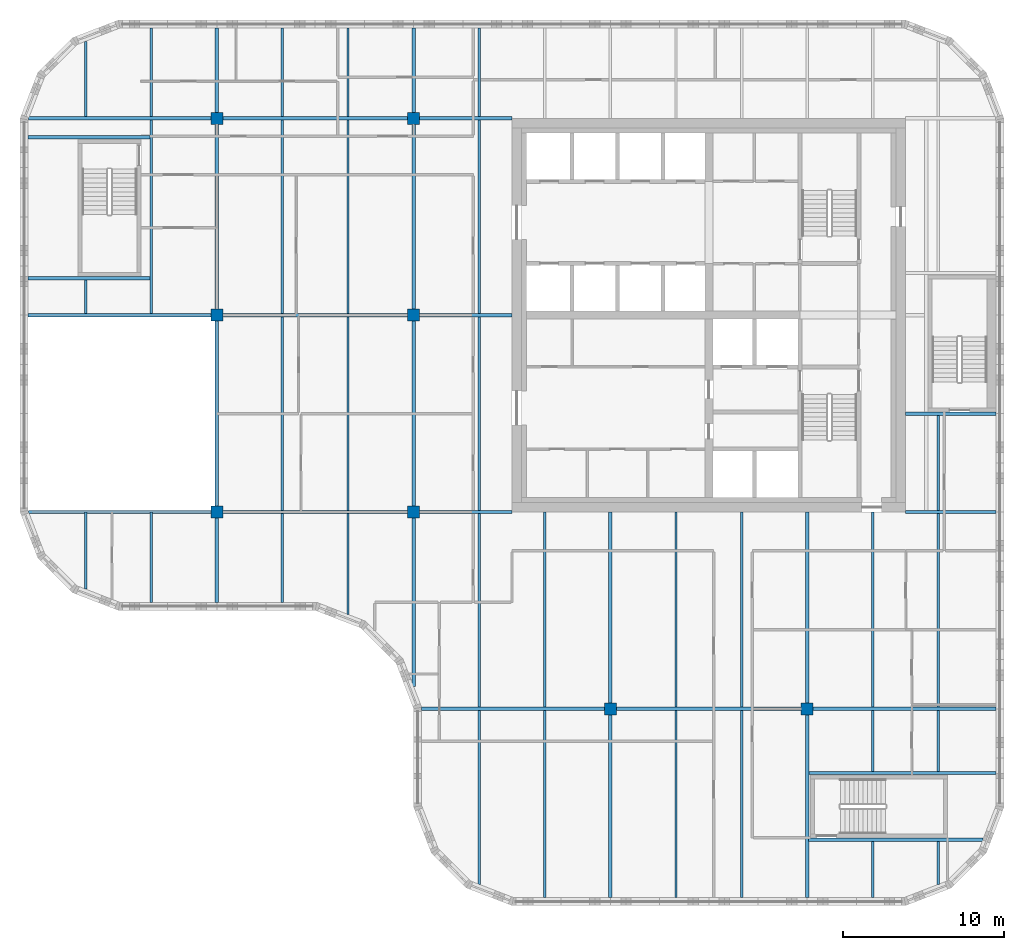
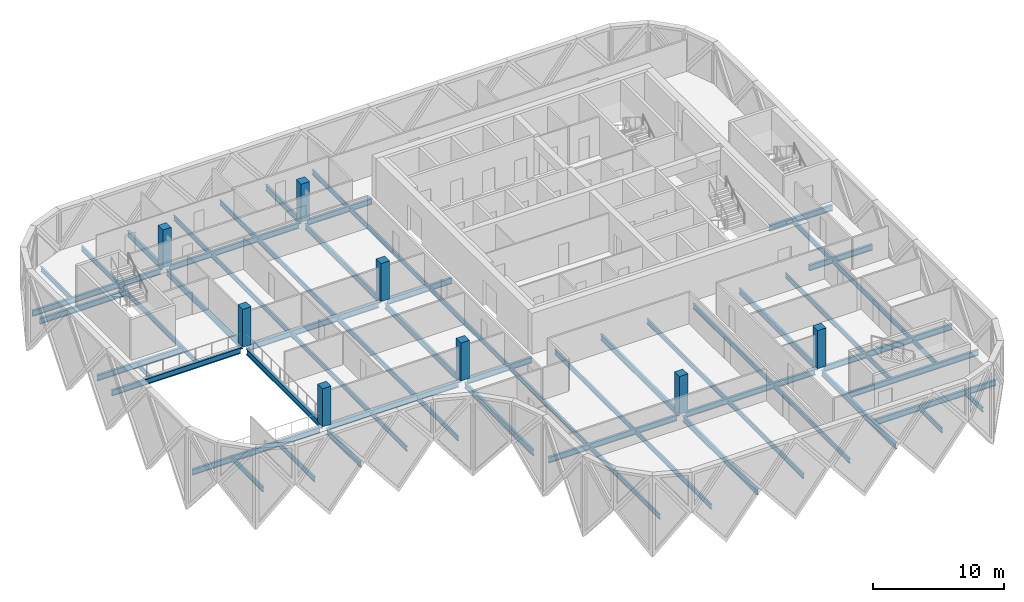
# One storey, part 1 of 15: 62 beams, 8 columns.
"""IFC4 building model written with IfcOpenShell, lengths in metres."""

from ifc_helpers import new_model, si_unit, direction, frame, origin, origin_2d, place, context, subcontext, project, spatial, rectangle, i_section, extrude, material, material_profile, profile_set, type_object, element, save


model = new_model("IFC4")

# Units and contexts
model_context = context("Model", 3, precision=1e-05, world=origin(), true_north=direction((0.0, 1.0)))
body_context = subcontext(model_context, "Body", "Model", "MODEL_VIEW")
ifc_project = project(units=[si_unit("LENGTHUNIT", "METRE"), si_unit("AREAUNIT", "SQUARE_METRE"), si_unit("VOLUMEUNIT", "CUBIC_METRE"), si_unit("PLANEANGLEUNIT", "RADIAN"), si_unit("MASSUNIT", "GRAM", prefix="KILO")], contexts=[model_context])

# Site, building, storey
site_placement = place(None, origin())
site = spatial("IfcSite", under=ifc_project, at=site_placement, CompositionType="ELEMENT")
building_placement = place(site_placement, origin())
building = spatial("IfcBuilding", under=site, at=building_placement, Name="Tessera Gate Towers", CompositionType="ELEMENT")
storey_placement = place(building_placement, frame((0.0, 0.0, 189.60009765625)))
storey = spatial("IfcBuildingStorey", under=building, at=storey_placement, Name="L47", CompositionType="ELEMENT", Elevation=189.60009765625)

# Columns
ifc_material_1 = material(Name="Concrete C70/85", Category="concrete")
ifc_material_profile_1 = material_profile(ifc_material_1, rectangle(XDim=0.75, YDim=0.75, at=origin_2d()), Name="RC 750x750")
ifc_profile_set_1 = profile_set([ifc_material_profile_1], Name="Concrete C70/85")
column_type = type_object("IfcColumnType", Name="COLUMN RC 750x750", PredefinedType="COLUMN", material=ifc_profile_set_1)
for number, where, z_axis, x_axis, name in (
    (1, (12.199951171875, 24.39990234375, 0.0), (0.0, 0.0, 1.0), (1.0, 0.0, 0.0), "T1-COL-2C-L47"),
    (2, (12.199951171875, 36.60009765625, 0.0), (0.0, 0.0, 1.0), (1.0, 0.0, 0.0), "T1-COL-2D-L47"),
    (3, (12.199951171875, 48.800048828125, 0.0), (0.0, 0.0, 1.0), (1.0, 0.0, 0.0), "T1-COL-2E-L47"),
    (4, (24.39990234375, 24.39990234375, 0.0), (0.0, 0.0, 1.0), (1.0, 0.0, 0.0), "T1-COL-3C-L47"),
    (5, (24.39990234375, 36.60009765625, 0.0), (0.0, 0.0, 1.0), (1.0, 0.0, 0.0), "T1-COL-3D-L47"),
    (6, (24.39990234375, 48.800048828125, 0.0), (0.0, 0.0, 1.0), (1.0, 0.0, 0.0), "T1-COL-3E-L47"),
    (7, (36.60009765625, 12.199951171875, 0.0), (0.0, 0.0, 1.0), (1.0, 0.0, 0.0), "T1-COL-4B-L47"),
    (8, (48.800048828125, 12.199951171875, 0.0), (0.0, 0.0, 1.0), (1.0, 0.0, 0.0), "T1-COL-5B-L47"),
):
    element("IfcColumn", number, at=place(storey_placement, frame(where, z_axis=z_axis, x_axis=x_axis)), inside=storey, type_object=column_type, Name=name, PredefinedType="COLUMN", context=body_context, shape_type="SweptSolid", body=[
        extrude(rectangle(XDim=0.75, YDim=0.75, at=origin_2d()), origin(), (0.0, 0.0, 1.0), 3.5498046875),
    ])

# Beams
ifc_material_2 = material(Name="Steel 350W", Category="steel")
ifc_material_profile_2 = material_profile(ifc_material_2, i_section(OverallWidth=0.208984375, OverallDepth=0.532958984375, WebThickness=0.01025390625, FlangeThickness=0.015625, at=origin_2d()), Name="W530x92")
ifc_profile_set_2 = profile_set([ifc_material_profile_2], Name="Steel 350W")
beam_type_1 = type_object("IfcBeamType", Name="FLOOR GIRDER W530x92", PredefinedType="BEAM", material=ifc_profile_set_2)
beam_1_placement = place(storey_placement, frame((24.89892578125, 12.199951171875, -0.466552734375), z_axis=(1.0, 0.0, 0.0), x_axis=(0.0, 1.0, 0.0)))
element("IfcBeam", 9, at=beam_1_placement, inside=storey, type_object=beam_type_1, Name="T1-GD-L47-5034", PredefinedType="BEAM", context=body_context, shape_type="SweptSolid", body=[
    extrude(i_section(OverallWidth=0.208984375, OverallDepth=0.532958984375, WebThickness=0.01025390625, FlangeThickness=0.015625, at=origin_2d()), origin(), (0.0, 0.0, 1.0), 11.326171875),
])
beam_2_placement = place(storey_placement, frame((36.97509765625, 12.199951171875, -0.466552734375), z_axis=(1.0, 0.0, 0.0), x_axis=(0.0, 1.0, 0.0)))
element("IfcBeam", 10, at=beam_2_placement, inside=storey, type_object=beam_type_1, Name="T1-GD-L47-5035", PredefinedType="BEAM", context=body_context, shape_type="SweptSolid", body=[
    extrude(i_section(OverallWidth=0.208984375, OverallDepth=0.532958984375, WebThickness=0.01025390625, FlangeThickness=0.015625, at=origin_2d()), origin(), (0.0, 0.0, 1.0), 11.449951171875),
])
beam_3_placement = place(storey_placement, frame((49.175048828125, 12.199951171875, -0.466552734375), z_axis=(1.0, 0.0, 0.0), x_axis=(0.0, 1.0, 0.0)))
element("IfcBeam", 11, at=beam_3_placement, inside=storey, type_object=beam_type_1, Name="T1-GD-L47-5036", PredefinedType="BEAM", context=body_context, shape_type="SweptSolid", body=[
    extrude(i_section(OverallWidth=0.208984375, OverallDepth=0.532958984375, WebThickness=0.01025390625, FlangeThickness=0.015625, at=origin_2d()), origin(), (0.0, 0.0, 1.0), 11.325927734375),
])
beam_4_placement = place(storey_placement, frame((0.534912109375, 24.39990234375, -0.466552734375), z_axis=(1.0, 0.0, 0.0), x_axis=(0.0, 1.0, 0.0)))
element("IfcBeam", 12, at=beam_4_placement, inside=storey, type_object=beam_type_1, Name="T1-GD-L47-5037", PredefinedType="BEAM", context=body_context, shape_type="SweptSolid", body=[
    extrude(i_section(OverallWidth=0.208984375, OverallDepth=0.532958984375, WebThickness=0.01025390625, FlangeThickness=0.015625, at=origin_2d()), origin(), (0.0, 0.0, 1.0), 11.2900390625),
])
beam_5_placement = place(storey_placement, frame((12.574951171875, 24.39990234375, -0.466552734375), z_axis=(1.0, 0.0, 0.0), x_axis=(0.0, 1.0, 0.0)))
element("IfcBeam", 13, at=beam_5_placement, inside=storey, type_object=beam_type_1, Name="T1-GD-L47-5038", PredefinedType="BEAM", context=body_context, shape_type="SweptSolid", body=[
    extrude(i_section(OverallWidth=0.208984375, OverallDepth=0.532958984375, WebThickness=0.01025390625, FlangeThickness=0.015625, at=origin_2d()), origin(), (0.0, 0.0, 1.0), 11.449951171875),
])
beam_6_placement = place(storey_placement, frame((24.77490234375, 24.39990234375, -0.466552734375), z_axis=(1.0, 0.0, 0.0), x_axis=(0.0, 1.0, 0.0)))
element("IfcBeam", 14, at=beam_6_placement, inside=storey, type_object=beam_type_1, Name="T1-GD-L47-5039", PredefinedType="BEAM", context=body_context, shape_type="SweptSolid", body=[
    extrude(i_section(OverallWidth=0.208984375, OverallDepth=0.532958984375, WebThickness=0.01025390625, FlangeThickness=0.015625, at=origin_2d()), origin(), (0.0, 0.0, 1.0), 5.72412109375),
])
beam_7_placement = place(storey_placement, frame((54.90087890625, 24.39990234375, -0.466552734375), z_axis=(1.0, 0.0, 0.0), x_axis=(0.0, 1.0, 0.0)))
element("IfcBeam", 15, at=beam_7_placement, inside=storey, type_object=beam_type_1, Name="T1-GD-L47-5040", PredefinedType="BEAM", context=body_context, shape_type="SweptSolid", body=[
    extrude(i_section(OverallWidth=0.208984375, OverallDepth=0.532958984375, WebThickness=0.01025390625, FlangeThickness=0.015625, at=origin_2d()), origin(), (0.0, 0.0, 1.0), 5.60009765625),
])
beam_8_placement = place(storey_placement, frame((0.4990234375, 36.60009765625, -0.466552734375), z_axis=(1.0, 0.0, 0.0), x_axis=(0.0, 1.0, 0.0)))
element("IfcBeam", 16, at=beam_8_placement, inside=storey, type_object=beam_type_1, Name="T1-GD-L47-5041", PredefinedType="BEAM", context=body_context, shape_type="SweptSolid", body=[
    extrude(i_section(OverallWidth=0.208984375, OverallDepth=0.532958984375, WebThickness=0.01025390625, FlangeThickness=0.015625, at=origin_2d()), origin(), (0.0, 0.0, 1.0), 11.325927734375),
])
beam_9_placement = place(storey_placement, frame((12.574951171875, 36.60009765625, -0.466552734375), z_axis=(1.0, 0.0, 0.0), x_axis=(0.0, 1.0, 0.0)))
element("IfcBeam", 17, at=beam_9_placement, inside=storey, type_object=beam_type_1, Name="T1-GD-L47-5042", PredefinedType="BEAM", context=body_context, shape_type="SweptSolid", body=[
    extrude(i_section(OverallWidth=0.208984375, OverallDepth=0.532958984375, WebThickness=0.01025390625, FlangeThickness=0.015625, at=origin_2d()), origin(), (0.0, 0.0, 1.0), 11.449951171875),
])
beam_10_placement = place(storey_placement, frame((24.77490234375, 36.60009765625, -0.466552734375), z_axis=(1.0, 0.0, 0.0), x_axis=(0.0, 1.0, 0.0)))
element("IfcBeam", 18, at=beam_10_placement, inside=storey, type_object=beam_type_1, Name="T1-GD-L47-5043", PredefinedType="BEAM", context=body_context, shape_type="SweptSolid", body=[
    extrude(i_section(OverallWidth=0.208984375, OverallDepth=0.532958984375, WebThickness=0.01025390625, FlangeThickness=0.015625, at=origin_2d()), origin(), (0.0, 0.0, 1.0), 5.72607421875),
])
beam_11_placement = place(storey_placement, frame((0.534912109375, 48.800048828125, -0.466552734375), z_axis=(1.0, 0.0, 0.0), x_axis=(0.0, 1.0, 0.0)))
element("IfcBeam", 19, at=beam_11_placement, inside=storey, type_object=beam_type_1, Name="T1-GD-L47-5045", PredefinedType="BEAM", context=body_context, shape_type="SweptSolid", body=[
    extrude(i_section(OverallWidth=0.208984375, OverallDepth=0.532958984375, WebThickness=0.01025390625, FlangeThickness=0.015625, at=origin_2d()), origin(), (0.0, 0.0, 1.0), 11.2900390625),
])
beam_12_placement = place(storey_placement, frame((12.574951171875, 48.800048828125, -0.466552734375), z_axis=(1.0, 0.0, 0.0), x_axis=(0.0, 1.0, 0.0)))
element("IfcBeam", 20, at=beam_12_placement, inside=storey, type_object=beam_type_1, Name="T1-GD-L47-5046", PredefinedType="BEAM", context=body_context, shape_type="SweptSolid", body=[
    extrude(i_section(OverallWidth=0.208984375, OverallDepth=0.532958984375, WebThickness=0.01025390625, FlangeThickness=0.015625, at=origin_2d()), origin(), (0.0, 0.0, 1.0), 11.449951171875),
])
beam_13_placement = place(storey_placement, frame((24.77490234375, 48.800048828125, -0.466552734375), z_axis=(1.0, 0.0, 0.0), x_axis=(0.0, 1.0, 0.0)))
element("IfcBeam", 21, at=beam_13_placement, inside=storey, type_object=beam_type_1, Name="T1-GD-L47-5047", PredefinedType="BEAM", context=body_context, shape_type="SweptSolid", body=[
    extrude(i_section(OverallWidth=0.208984375, OverallDepth=0.532958984375, WebThickness=0.01025390625, FlangeThickness=0.015625, at=origin_2d()), origin(), (0.0, 0.0, 1.0), 5.72412109375),
])
beam_14_placement = place(storey_placement, frame((12.199951171875, 18.799072265625, -0.466552734375), z_axis=(0.0, 1.0, 0.0), x_axis=(-1.0, 0.0, 0.0)))
element("IfcBeam", 22, at=beam_14_placement, inside=storey, type_object=beam_type_1, Name="T1-GD-L47-5049", PredefinedType="BEAM", context=body_context, shape_type="SweptSolid", body=[
    extrude(i_section(OverallWidth=0.208984375, OverallDepth=0.532958984375, WebThickness=0.01025390625, FlangeThickness=0.015625, at=origin_2d()), origin(), (0.0, 0.0, 1.0), 5.225830078125),
])
beam_15_placement = place(storey_placement, frame((12.199951171875, 24.77490234375, -0.466552734375), z_axis=(0.0, 1.0, 0.0), x_axis=(-1.0, 0.0, 0.0)))
element("IfcBeam", 23, at=beam_15_placement, inside=storey, type_object=beam_type_1, Name="T1-GD-L47-5050", PredefinedType="BEAM", context=body_context, shape_type="SweptSolid", body=[
    extrude(i_section(OverallWidth=0.208984375, OverallDepth=0.532958984375, WebThickness=0.01025390625, FlangeThickness=0.015625, at=origin_2d()), origin(), (0.0, 0.0, 1.0), 11.4501953125),
])
beam_16_placement = place(storey_placement, frame((12.199951171875, 36.97509765625, -0.466552734375), z_axis=(0.0, 1.0, 0.0), x_axis=(-1.0, 0.0, 0.0)))
element("IfcBeam", 24, at=beam_16_placement, inside=storey, type_object=beam_type_1, Name="T1-GD-L47-5051", PredefinedType="BEAM", context=body_context, shape_type="SweptSolid", body=[
    extrude(i_section(OverallWidth=0.208984375, OverallDepth=0.532958984375, WebThickness=0.01025390625, FlangeThickness=0.015625, at=origin_2d()), origin(), (0.0, 0.0, 1.0), 11.449951171875),
])
beam_17_placement = place(storey_placement, frame((12.199951171875, 49.175048828125, -0.466552734375), z_axis=(0.0, 1.0, 0.0), x_axis=(-1.0, 0.0, 0.0)))
element("IfcBeam", 25, at=beam_17_placement, inside=storey, type_object=beam_type_1, Name="T1-GD-L47-5052", PredefinedType="BEAM", context=body_context, shape_type="SweptSolid", body=[
    extrude(i_section(OverallWidth=0.208984375, OverallDepth=0.532958984375, WebThickness=0.01025390625, FlangeThickness=0.015625, at=origin_2d()), origin(), (0.0, 0.0, 1.0), 5.225830078125),
])
beam_18_placement = place(storey_placement, frame((24.39990234375, 13.58642578125, -0.466552734375), z_axis=(0.0, 1.0, 0.0), x_axis=(-1.0, 0.0, 0.0)))
element("IfcBeam", 26, at=beam_18_placement, inside=storey, type_object=beam_type_1, Name="T1-GD-L47-5053", PredefinedType="BEAM", context=body_context, shape_type="SweptSolid", body=[
    extrude(i_section(OverallWidth=0.208984375, OverallDepth=0.532958984375, WebThickness=0.01025390625, FlangeThickness=0.015625, at=origin_2d()), origin(), (0.0, 0.0, 1.0), 10.4384765625),
])
beam_19_placement = place(storey_placement, frame((24.39990234375, 24.77490234375, -0.466552734375), z_axis=(0.0, 1.0, 0.0), x_axis=(-1.0, 0.0, 0.0)))
element("IfcBeam", 27, at=beam_19_placement, inside=storey, type_object=beam_type_1, Name="T1-GD-L47-5054", PredefinedType="BEAM", context=body_context, shape_type="SweptSolid", body=[
    extrude(i_section(OverallWidth=0.208984375, OverallDepth=0.532958984375, WebThickness=0.01025390625, FlangeThickness=0.015625, at=origin_2d()), origin(), (0.0, 0.0, 1.0), 11.4501953125),
])
beam_20_placement = place(storey_placement, frame((24.39990234375, 36.97509765625, -0.466552734375), z_axis=(0.0, 1.0, 0.0), x_axis=(-1.0, 0.0, 0.0)))
element("IfcBeam", 28, at=beam_20_placement, inside=storey, type_object=beam_type_1, Name="T1-GD-L47-5055", PredefinedType="BEAM", context=body_context, shape_type="SweptSolid", body=[
    extrude(i_section(OverallWidth=0.208984375, OverallDepth=0.532958984375, WebThickness=0.01025390625, FlangeThickness=0.015625, at=origin_2d()), origin(), (0.0, 0.0, 1.0), 11.449951171875),
])
beam_21_placement = place(storey_placement, frame((24.39990234375, 49.175048828125, -0.466552734375), z_axis=(0.0, 1.0, 0.0), x_axis=(-1.0, 0.0, 0.0)))
element("IfcBeam", 29, at=beam_21_placement, inside=storey, type_object=beam_type_1, Name="T1-GD-L47-5056", PredefinedType="BEAM", context=body_context, shape_type="SweptSolid", body=[
    extrude(i_section(OverallWidth=0.208984375, OverallDepth=0.532958984375, WebThickness=0.01025390625, FlangeThickness=0.015625, at=origin_2d()), origin(), (0.0, 0.0, 1.0), 5.225830078125),
])
beam_22_placement = place(storey_placement, frame((36.60009765625, 0.4990234375, -0.466552734375), z_axis=(0.0, 1.0, 0.0), x_axis=(-1.0, 0.0, 0.0)))
element("IfcBeam", 30, at=beam_22_placement, inside=storey, type_object=beam_type_1, Name="T1-GD-L47-5057", PredefinedType="BEAM", context=body_context, shape_type="SweptSolid", body=[
    extrude(i_section(OverallWidth=0.208984375, OverallDepth=0.532958984375, WebThickness=0.01025390625, FlangeThickness=0.015625, at=origin_2d()), origin(), (0.0, 0.0, 1.0), 11.325927734375),
])
beam_23_placement = place(storey_placement, frame((36.60009765625, 12.574951171875, -0.466552734375), z_axis=(0.0, 1.0, 0.0), x_axis=(-1.0, 0.0, 0.0)))
element("IfcBeam", 31, at=beam_23_placement, inside=storey, type_object=beam_type_1, Name="T1-GD-L47-5058", PredefinedType="BEAM", context=body_context, shape_type="SweptSolid", body=[
    extrude(i_section(OverallWidth=0.208984375, OverallDepth=0.532958984375, WebThickness=0.01025390625, FlangeThickness=0.015625, at=origin_2d()), origin(), (0.0, 0.0, 1.0), 11.824951171875),
])
beam_24_placement = place(storey_placement, frame((48.800048828125, 0.4990234375, -0.466552734375), z_axis=(0.0, 1.0, 0.0), x_axis=(-1.0, 0.0, 0.0)))
element("IfcBeam", 32, at=beam_24_placement, inside=storey, type_object=beam_type_1, Name="T1-GD-L47-5059", PredefinedType="BEAM", context=body_context, shape_type="SweptSolid", body=[
    extrude(i_section(OverallWidth=0.208984375, OverallDepth=0.532958984375, WebThickness=0.01025390625, FlangeThickness=0.015625, at=origin_2d()), origin(), (0.0, 0.0, 1.0), 11.325927734375),
])
beam_25_placement = place(storey_placement, frame((48.800048828125, 12.574951171875, -0.466552734375), z_axis=(0.0, 1.0, 0.0), x_axis=(-1.0, 0.0, 0.0)))
element("IfcBeam", 33, at=beam_25_placement, inside=storey, type_object=beam_type_1, Name="T1-GD-L47-5060", PredefinedType="BEAM", context=body_context, shape_type="SweptSolid", body=[
    extrude(i_section(OverallWidth=0.208984375, OverallDepth=0.532958984375, WebThickness=0.01025390625, FlangeThickness=0.015625, at=origin_2d()), origin(), (0.0, 0.0, 1.0), 11.824951171875),
])
for number, where, z_axis, x_axis, name in (
    (34, (0.4990234375, 38.8798828125, -0.466552734375), (1.0, 0.0, 0.0), (0.0, 1.0, 0.0), "T1-GD-L47-5061"),
    (35, (0.4990234375, 47.6201171875, -0.466552734375), (1.0, 0.0, 0.0), (0.0, 1.0, 0.0), "T1-GD-L47-5062"),
):
    element("IfcBeam", number, at=place(storey_placement, frame(where, z_axis=z_axis, x_axis=x_axis)), inside=storey, type_object=beam_type_1, Name=name, PredefinedType="BEAM", context=body_context, shape_type="SweptSolid", body=[
        extrude(i_section(OverallWidth=0.208984375, OverallDepth=0.532958984375, WebThickness=0.01025390625, FlangeThickness=0.015625, at=origin_2d()), origin(), (0.0, 0.0, 1.0), 7.557861328125),
    ])
beam_26_placement = place(storey_placement, frame((48.87646484375, 4.080078125, -0.466552734375), z_axis=(1.0, 0.0, 0.0), x_axis=(0.0, 1.0, 0.0)))
element("IfcBeam", 36, at=beam_26_placement, inside=storey, type_object=beam_type_1, Name="T1-GD-L47-5063", PredefinedType="BEAM", context=body_context, shape_type="SweptSolid", body=[
    extrude(i_section(OverallWidth=0.208984375, OverallDepth=0.532958984375, WebThickness=0.01025390625, FlangeThickness=0.015625, at=origin_2d()), origin(), (0.0, 0.0, 1.0), 10.809326171875),
])
beam_27_placement = place(storey_placement, frame((48.87646484375, 8.219970703125, -0.466552734375), z_axis=(1.0, 0.0, 0.0), x_axis=(0.0, 1.0, 0.0)))
element("IfcBeam", 37, at=beam_27_placement, inside=storey, type_object=beam_type_1, Name="T1-GD-L47-5064", PredefinedType="BEAM", context=body_context, shape_type="SweptSolid", body=[
    extrude(i_section(OverallWidth=0.208984375, OverallDepth=0.532958984375, WebThickness=0.01025390625, FlangeThickness=0.015625, at=origin_2d()), origin(), (0.0, 0.0, 1.0), 11.62451171875),
])
beam_28_placement = place(storey_placement, frame((54.89892578125, 30.47998046875, -0.466552734375), z_axis=(1.0, 0.0, 0.0), x_axis=(0.0, 1.0, 0.0)))
element("IfcBeam", 38, at=beam_28_placement, inside=storey, type_object=beam_type_1, Name="T1-GD-L47-5065", PredefinedType="BEAM", context=body_context, shape_type="SweptSolid", body=[
    extrude(i_section(OverallWidth=0.208984375, OverallDepth=0.532958984375, WebThickness=0.01025390625, FlangeThickness=0.015625, at=origin_2d()), origin(), (0.0, 0.0, 1.0), 5.60205078125),
])
ifc_material_3 = material(Name="Steel 350W", Category="steel")
ifc_material_profile_3 = material_profile(ifc_material_3, i_section(OverallWidth=0.153076171875, OverallDepth=0.455078125, WebThickness=0.008056640625, FlangeThickness=0.01318359375, at=origin_2d()), Name="W460x60")
ifc_profile_set_3 = profile_set([ifc_material_profile_3], Name="Steel 350W")
beam_type_2 = type_object("IfcBeamType", Name="FLOOR SECONDARY W460x60", PredefinedType="BEAM", material=ifc_profile_set_3)
beam_29_placement = place(storey_placement, frame((4.066650390625, 19.620361328125, -0.427490234375), z_axis=(0.0, 1.0, 0.0), x_axis=(-1.0, 0.0, 0.0)))
element("IfcBeam", 39, at=beam_29_placement, inside=storey, type_object=beam_type_2, Name="T1-BM-L47-5068", PredefinedType="BEAM", context=body_context, shape_type="SweptSolid", body=[
    extrude(i_section(OverallWidth=0.153076171875, OverallDepth=0.455078125, WebThickness=0.008056640625, FlangeThickness=0.01318359375, at=origin_2d()), origin(), (0.0, 0.0, 1.0), 4.779541015625),
])
beam_30_placement = place(storey_placement, frame((4.066650390625, 36.70458984375, -0.427490234375), z_axis=(0.0, 1.0, 0.0), x_axis=(-1.0, 0.0, 0.0)))
element("IfcBeam", 40, at=beam_30_placement, inside=storey, type_object=beam_type_2, Name="T1-BM-L47-5069", PredefinedType="BEAM", context=body_context, shape_type="SweptSolid", body=[
    extrude(i_section(OverallWidth=0.153076171875, OverallDepth=0.455078125, WebThickness=0.008056640625, FlangeThickness=0.01318359375, at=origin_2d()), origin(), (0.0, 0.0, 1.0), 2.07080078125),
])
beam_31_placement = place(storey_placement, frame((4.066650390625, 48.904541015625, -0.427490234375), z_axis=(0.0, 1.0, 0.0), x_axis=(-1.0, 0.0, 0.0)))
element("IfcBeam", 41, at=beam_31_placement, inside=storey, type_object=beam_type_2, Name="T1-BM-L47-5070", PredefinedType="BEAM", context=body_context, shape_type="SweptSolid", body=[
    extrude(i_section(OverallWidth=0.153076171875, OverallDepth=0.455078125, WebThickness=0.008056640625, FlangeThickness=0.01318359375, at=origin_2d()), origin(), (0.0, 0.0, 1.0), 4.675048828125),
])
beam_32_placement = place(storey_placement, frame((8.13330078125, 18.800048828125, -0.427490234375), z_axis=(0.0, 1.0, 0.0), x_axis=(-1.0, 0.0, 0.0)))
element("IfcBeam", 42, at=beam_32_placement, inside=storey, type_object=beam_type_2, Name="T1-BM-L47-5071", PredefinedType="BEAM", context=body_context, shape_type="SweptSolid", body=[
    extrude(i_section(OverallWidth=0.153076171875, OverallDepth=0.455078125, WebThickness=0.008056640625, FlangeThickness=0.01318359375, at=origin_2d()), origin(), (0.0, 0.0, 1.0), 5.599853515625),
])
beam_33_placement = place(storey_placement, frame((8.13330078125, 36.70458984375, -0.427490234375), z_axis=(0.0, 1.0, 0.0), x_axis=(-1.0, 0.0, 0.0)))
element("IfcBeam", 43, at=beam_33_placement, inside=storey, type_object=beam_type_2, Name="T1-BM-L47-5072", PredefinedType="BEAM", context=body_context, shape_type="SweptSolid", body=[
    extrude(i_section(OverallWidth=0.153076171875, OverallDepth=0.455078125, WebThickness=0.008056640625, FlangeThickness=0.01318359375, at=origin_2d()), origin(), (0.0, 0.0, 1.0), 11.990966796875),
])
for number, where, z_axis, x_axis, name in (
    (44, (8.13330078125, 48.904541015625, -0.427490234375), (0.0, 1.0, 0.0), (-1.0, 0.0, 0.0), "T1-BM-L47-5073"),
    (45, (16.2666015625, 18.800048828125, -0.427490234375), (0.0, 1.0, 0.0), (-1.0, 0.0, 0.0), "T1-BM-L47-5074"),
):
    element("IfcBeam", number, at=place(storey_placement, frame(where, z_axis=z_axis, x_axis=x_axis)), inside=storey, type_object=beam_type_2, Name=name, PredefinedType="BEAM", context=body_context, shape_type="SweptSolid", body=[
        extrude(i_section(OverallWidth=0.153076171875, OverallDepth=0.455078125, WebThickness=0.008056640625, FlangeThickness=0.01318359375, at=origin_2d()), origin(), (0.0, 0.0, 1.0), 5.495361328125),
    ])
beam_34_placement = place(storey_placement, frame((16.2666015625, 24.50439453125, -0.427490234375), z_axis=(0.0, 1.0, 0.0), x_axis=(-1.0, 0.0, 0.0)))
element("IfcBeam", 46, at=beam_34_placement, inside=storey, type_object=beam_type_2, Name="T1-BM-L47-5075", PredefinedType="BEAM", context=body_context, shape_type="SweptSolid", body=[
    extrude(i_section(OverallWidth=0.153076171875, OverallDepth=0.455078125, WebThickness=0.008056640625, FlangeThickness=0.01318359375, at=origin_2d()), origin(), (0.0, 0.0, 1.0), 11.9912109375),
])
beam_35_placement = place(storey_placement, frame((16.2666015625, 36.70458984375, -0.427490234375), z_axis=(0.0, 1.0, 0.0), x_axis=(-1.0, 0.0, 0.0)))
element("IfcBeam", 47, at=beam_35_placement, inside=storey, type_object=beam_type_2, Name="T1-BM-L47-5076", PredefinedType="BEAM", context=body_context, shape_type="SweptSolid", body=[
    extrude(i_section(OverallWidth=0.153076171875, OverallDepth=0.455078125, WebThickness=0.008056640625, FlangeThickness=0.01318359375, at=origin_2d()), origin(), (0.0, 0.0, 1.0), 11.990966796875),
])
beam_36_placement = place(storey_placement, frame((16.2666015625, 48.904541015625, -0.427490234375), z_axis=(0.0, 1.0, 0.0), x_axis=(-1.0, 0.0, 0.0)))
element("IfcBeam", 48, at=beam_36_placement, inside=storey, type_object=beam_type_2, Name="T1-BM-L47-5077", PredefinedType="BEAM", context=body_context, shape_type="SweptSolid", body=[
    extrude(i_section(OverallWidth=0.153076171875, OverallDepth=0.455078125, WebThickness=0.008056640625, FlangeThickness=0.01318359375, at=origin_2d()), origin(), (0.0, 0.0, 1.0), 5.495361328125),
])
beam_37_placement = place(storey_placement, frame((20.333251953125, 18.051513671875, -0.427490234375), z_axis=(0.0, 1.0, 0.0), x_axis=(-1.0, 0.0, 0.0)))
element("IfcBeam", 49, at=beam_37_placement, inside=storey, type_object=beam_type_2, Name="T1-BM-L47-5078", PredefinedType="BEAM", context=body_context, shape_type="SweptSolid", body=[
    extrude(i_section(OverallWidth=0.153076171875, OverallDepth=0.455078125, WebThickness=0.008056640625, FlangeThickness=0.01318359375, at=origin_2d()), origin(), (0.0, 0.0, 1.0), 6.243896484375),
])
beam_38_placement = place(storey_placement, frame((20.333251953125, 24.50439453125, -0.427490234375), z_axis=(0.0, 1.0, 0.0), x_axis=(-1.0, 0.0, 0.0)))
element("IfcBeam", 50, at=beam_38_placement, inside=storey, type_object=beam_type_2, Name="T1-BM-L47-5079", PredefinedType="BEAM", context=body_context, shape_type="SweptSolid", body=[
    extrude(i_section(OverallWidth=0.153076171875, OverallDepth=0.455078125, WebThickness=0.008056640625, FlangeThickness=0.01318359375, at=origin_2d()), origin(), (0.0, 0.0, 1.0), 11.9912109375),
])
beam_39_placement = place(storey_placement, frame((20.333251953125, 36.70458984375, -0.427490234375), z_axis=(0.0, 1.0, 0.0), x_axis=(-1.0, 0.0, 0.0)))
element("IfcBeam", 51, at=beam_39_placement, inside=storey, type_object=beam_type_2, Name="T1-BM-L47-5080", PredefinedType="BEAM", context=body_context, shape_type="SweptSolid", body=[
    extrude(i_section(OverallWidth=0.153076171875, OverallDepth=0.455078125, WebThickness=0.008056640625, FlangeThickness=0.01318359375, at=origin_2d()), origin(), (0.0, 0.0, 1.0), 11.990966796875),
])
beam_40_placement = place(storey_placement, frame((20.333251953125, 48.904541015625, -0.427490234375), z_axis=(0.0, 1.0, 0.0), x_axis=(-1.0, 0.0, 0.0)))
element("IfcBeam", 52, at=beam_40_placement, inside=storey, type_object=beam_type_2, Name="T1-BM-L47-5081", PredefinedType="BEAM", context=body_context, shape_type="SweptSolid", body=[
    extrude(i_section(OverallWidth=0.153076171875, OverallDepth=0.455078125, WebThickness=0.008056640625, FlangeThickness=0.01318359375, at=origin_2d()), origin(), (0.0, 0.0, 1.0), 5.495361328125),
])
beam_41_placement = place(storey_placement, frame((28.466796875, 1.3203125, -0.427490234375), z_axis=(0.0, 1.0, 0.0), x_axis=(-1.0, 0.0, 0.0)))
element("IfcBeam", 53, at=beam_41_placement, inside=storey, type_object=beam_type_2, Name="T1-BM-L47-5082", PredefinedType="BEAM", context=body_context, shape_type="SweptSolid", body=[
    extrude(i_section(OverallWidth=0.153076171875, OverallDepth=0.455078125, WebThickness=0.008056640625, FlangeThickness=0.01318359375, at=origin_2d()), origin(), (0.0, 0.0, 1.0), 10.775146484375),
])
beam_42_placement = place(storey_placement, frame((28.466796875, 12.304443359375, -0.427490234375), z_axis=(0.0, 1.0, 0.0), x_axis=(-1.0, 0.0, 0.0)))
element("IfcBeam", 54, at=beam_42_placement, inside=storey, type_object=beam_type_2, Name="T1-BM-L47-5083", PredefinedType="BEAM", context=body_context, shape_type="SweptSolid", body=[
    extrude(i_section(OverallWidth=0.153076171875, OverallDepth=0.455078125, WebThickness=0.008056640625, FlangeThickness=0.01318359375, at=origin_2d()), origin(), (0.0, 0.0, 1.0), 11.990966796875),
])
beam_43_placement = place(storey_placement, frame((28.466796875, 24.50439453125, -0.427490234375), z_axis=(0.0, 1.0, 0.0), x_axis=(-1.0, 0.0, 0.0)))
element("IfcBeam", 55, at=beam_43_placement, inside=storey, type_object=beam_type_2, Name="T1-BM-L47-5084", PredefinedType="BEAM", context=body_context, shape_type="SweptSolid", body=[
    extrude(i_section(OverallWidth=0.153076171875, OverallDepth=0.455078125, WebThickness=0.008056640625, FlangeThickness=0.01318359375, at=origin_2d()), origin(), (0.0, 0.0, 1.0), 11.9912109375),
])
beam_44_placement = place(storey_placement, frame((28.466796875, 36.70458984375, -0.427490234375), z_axis=(0.0, 1.0, 0.0), x_axis=(-1.0, 0.0, 0.0)))
element("IfcBeam", 56, at=beam_44_placement, inside=storey, type_object=beam_type_2, Name="T1-BM-L47-5085", PredefinedType="BEAM", context=body_context, shape_type="SweptSolid", body=[
    extrude(i_section(OverallWidth=0.153076171875, OverallDepth=0.455078125, WebThickness=0.008056640625, FlangeThickness=0.01318359375, at=origin_2d()), origin(), (0.0, 0.0, 1.0), 11.990966796875),
])
beam_45_placement = place(storey_placement, frame((28.466796875, 48.904541015625, -0.427490234375), z_axis=(0.0, 1.0, 0.0), x_axis=(-1.0, 0.0, 0.0)))
element("IfcBeam", 57, at=beam_45_placement, inside=storey, type_object=beam_type_2, Name="T1-BM-L47-5086", PredefinedType="BEAM", context=body_context, shape_type="SweptSolid", body=[
    extrude(i_section(OverallWidth=0.153076171875, OverallDepth=0.455078125, WebThickness=0.008056640625, FlangeThickness=0.01318359375, at=origin_2d()), origin(), (0.0, 0.0, 1.0), 5.495361328125),
])
beam_46_placement = place(storey_placement, frame((32.533203125, 0.5, -0.427490234375), z_axis=(0.0, 1.0, 0.0), x_axis=(-1.0, 0.0, 0.0)))
element("IfcBeam", 58, at=beam_46_placement, inside=storey, type_object=beam_type_2, Name="T1-BM-L47-5087", PredefinedType="BEAM", context=body_context, shape_type="SweptSolid", body=[
    extrude(i_section(OverallWidth=0.153076171875, OverallDepth=0.455078125, WebThickness=0.008056640625, FlangeThickness=0.01318359375, at=origin_2d()), origin(), (0.0, 0.0, 1.0), 11.595458984375),
])
beam_47_placement = place(storey_placement, frame((32.533203125, 12.304443359375, -0.427490234375), z_axis=(0.0, 1.0, 0.0), x_axis=(-1.0, 0.0, 0.0)))
element("IfcBeam", 59, at=beam_47_placement, inside=storey, type_object=beam_type_2, Name="T1-BM-L47-5088", PredefinedType="BEAM", context=body_context, shape_type="SweptSolid", body=[
    extrude(i_section(OverallWidth=0.153076171875, OverallDepth=0.455078125, WebThickness=0.008056640625, FlangeThickness=0.01318359375, at=origin_2d()), origin(), (0.0, 0.0, 1.0), 12.095458984375),
])
beam_48_placement = place(storey_placement, frame((40.666748046875, 0.5, -0.427490234375), z_axis=(0.0, 1.0, 0.0), x_axis=(-1.0, 0.0, 0.0)))
element("IfcBeam", 60, at=beam_48_placement, inside=storey, type_object=beam_type_2, Name="T1-BM-L47-5091", PredefinedType="BEAM", context=body_context, shape_type="SweptSolid", body=[
    extrude(i_section(OverallWidth=0.153076171875, OverallDepth=0.455078125, WebThickness=0.008056640625, FlangeThickness=0.01318359375, at=origin_2d()), origin(), (0.0, 0.0, 1.0), 11.595458984375),
])
beam_49_placement = place(storey_placement, frame((40.666748046875, 12.304443359375, -0.427490234375), z_axis=(0.0, 1.0, 0.0), x_axis=(-1.0, 0.0, 0.0)))
element("IfcBeam", 61, at=beam_49_placement, inside=storey, type_object=beam_type_2, Name="T1-BM-L47-5092", PredefinedType="BEAM", context=body_context, shape_type="SweptSolid", body=[
    extrude(i_section(OverallWidth=0.153076171875, OverallDepth=0.455078125, WebThickness=0.008056640625, FlangeThickness=0.01318359375, at=origin_2d()), origin(), (0.0, 0.0, 1.0), 12.095458984375),
])
beam_50_placement = place(storey_placement, frame((44.7333984375, 0.5, -0.427490234375), z_axis=(0.0, 1.0, 0.0), x_axis=(-1.0, 0.0, 0.0)))
element("IfcBeam", 62, at=beam_50_placement, inside=storey, type_object=beam_type_2, Name="T1-BM-L47-5094", PredefinedType="BEAM", context=body_context, shape_type="SweptSolid", body=[
    extrude(i_section(OverallWidth=0.153076171875, OverallDepth=0.455078125, WebThickness=0.008056640625, FlangeThickness=0.01318359375, at=origin_2d()), origin(), (0.0, 0.0, 1.0), 11.595458984375),
])
beam_51_placement = place(storey_placement, frame((44.7333984375, 12.304443359375, -0.427490234375), z_axis=(0.0, 1.0, 0.0), x_axis=(-1.0, 0.0, 0.0)))
element("IfcBeam", 63, at=beam_51_placement, inside=storey, type_object=beam_type_2, Name="T1-BM-L47-5095", PredefinedType="BEAM", context=body_context, shape_type="SweptSolid", body=[
    extrude(i_section(OverallWidth=0.153076171875, OverallDepth=0.455078125, WebThickness=0.008056640625, FlangeThickness=0.01318359375, at=origin_2d()), origin(), (0.0, 0.0, 1.0), 12.095458984375),
])
beam_52_placement = place(storey_placement, frame((52.86669921875, 0.5, -0.427490234375), z_axis=(0.0, 1.0, 0.0), x_axis=(-1.0, 0.0, 0.0)))
element("IfcBeam", 64, at=beam_52_placement, inside=storey, type_object=beam_type_2, Name="T1-BM-L47-5098", PredefinedType="BEAM", context=body_context, shape_type="SweptSolid", body=[
    extrude(i_section(OverallWidth=0.153076171875, OverallDepth=0.455078125, WebThickness=0.008056640625, FlangeThickness=0.01318359375, at=origin_2d()), origin(), (0.0, 0.0, 1.0), 3.4755859375),
])
beam_53_placement = place(storey_placement, frame((52.86669921875, 8.324462890625, -0.427490234375), z_axis=(0.0, 1.0, 0.0), x_axis=(-1.0, 0.0, 0.0)))
element("IfcBeam", 65, at=beam_53_placement, inside=storey, type_object=beam_type_2, Name="T1-BM-L47-5099", PredefinedType="BEAM", context=body_context, shape_type="SweptSolid", body=[
    extrude(i_section(OverallWidth=0.153076171875, OverallDepth=0.455078125, WebThickness=0.008056640625, FlangeThickness=0.01318359375, at=origin_2d()), origin(), (0.0, 0.0, 1.0), 3.77099609375),
])
beam_54_placement = place(storey_placement, frame((52.86669921875, 12.304443359375, -0.427490234375), z_axis=(0.0, 1.0, 0.0), x_axis=(-1.0, 0.0, 0.0)))
element("IfcBeam", 66, at=beam_54_placement, inside=storey, type_object=beam_type_2, Name="T1-BM-L47-5100", PredefinedType="BEAM", context=body_context, shape_type="SweptSolid", body=[
    extrude(i_section(OverallWidth=0.153076171875, OverallDepth=0.455078125, WebThickness=0.008056640625, FlangeThickness=0.01318359375, at=origin_2d()), origin(), (0.0, 0.0, 1.0), 12.095458984375),
])
beam_55_placement = place(storey_placement, frame((56.933349609375, 1.3203125, -0.427490234375), z_axis=(0.0, 1.0, 0.0), x_axis=(-1.0, 0.0, 0.0)))
element("IfcBeam", 67, at=beam_55_placement, inside=storey, type_object=beam_type_2, Name="T1-BM-L47-5102", PredefinedType="BEAM", context=body_context, shape_type="SweptSolid", body=[
    extrude(i_section(OverallWidth=0.153076171875, OverallDepth=0.455078125, WebThickness=0.008056640625, FlangeThickness=0.01318359375, at=origin_2d()), origin(), (0.0, 0.0, 1.0), 2.6552734375),
])
beam_56_placement = place(storey_placement, frame((56.933349609375, 8.324462890625, -0.427490234375), z_axis=(0.0, 1.0, 0.0), x_axis=(-1.0, 0.0, 0.0)))
element("IfcBeam", 68, at=beam_56_placement, inside=storey, type_object=beam_type_2, Name="T1-BM-L47-5103", PredefinedType="BEAM", context=body_context, shape_type="SweptSolid", body=[
    extrude(i_section(OverallWidth=0.153076171875, OverallDepth=0.455078125, WebThickness=0.008056640625, FlangeThickness=0.01318359375, at=origin_2d()), origin(), (0.0, 0.0, 1.0), 3.77099609375),
])
beam_57_placement = place(storey_placement, frame((56.933349609375, 12.304443359375, -0.427490234375), z_axis=(0.0, 1.0, 0.0), x_axis=(-1.0, 0.0, 0.0)))
element("IfcBeam", 69, at=beam_57_placement, inside=storey, type_object=beam_type_2, Name="T1-BM-L47-5104", PredefinedType="BEAM", context=body_context, shape_type="SweptSolid", body=[
    extrude(i_section(OverallWidth=0.153076171875, OverallDepth=0.455078125, WebThickness=0.008056640625, FlangeThickness=0.01318359375, at=origin_2d()), origin(), (0.0, 0.0, 1.0), 11.990966796875),
])
beam_58_placement = place(storey_placement, frame((56.933349609375, 24.50439453125, -0.427490234375), z_axis=(0.0, 1.0, 0.0), x_axis=(-1.0, 0.0, 0.0)))
element("IfcBeam", 70, at=beam_58_placement, inside=storey, type_object=beam_type_2, Name="T1-BM-L47-5105", PredefinedType="BEAM", context=body_context, shape_type="SweptSolid", body=[
    extrude(i_section(OverallWidth=0.153076171875, OverallDepth=0.455078125, WebThickness=0.008056640625, FlangeThickness=0.01318359375, at=origin_2d()), origin(), (0.0, 0.0, 1.0), 5.87109375),
])

save(model, "model.ifc")
